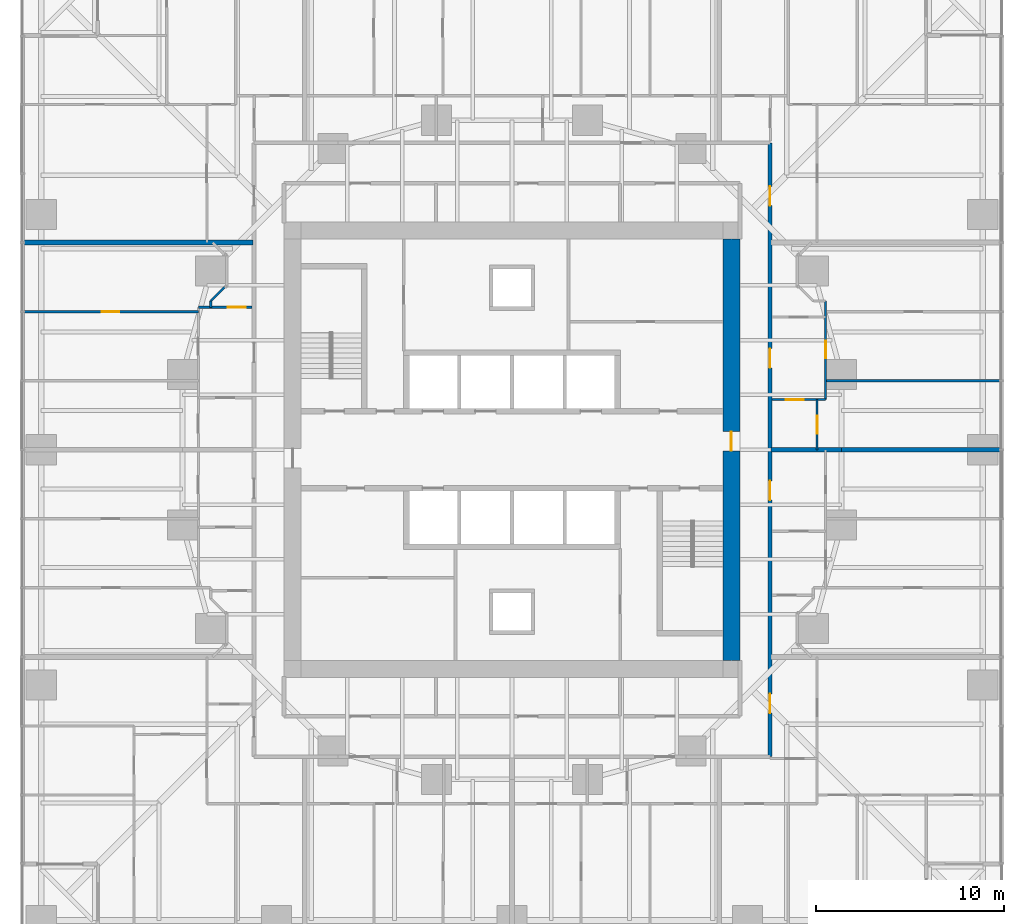
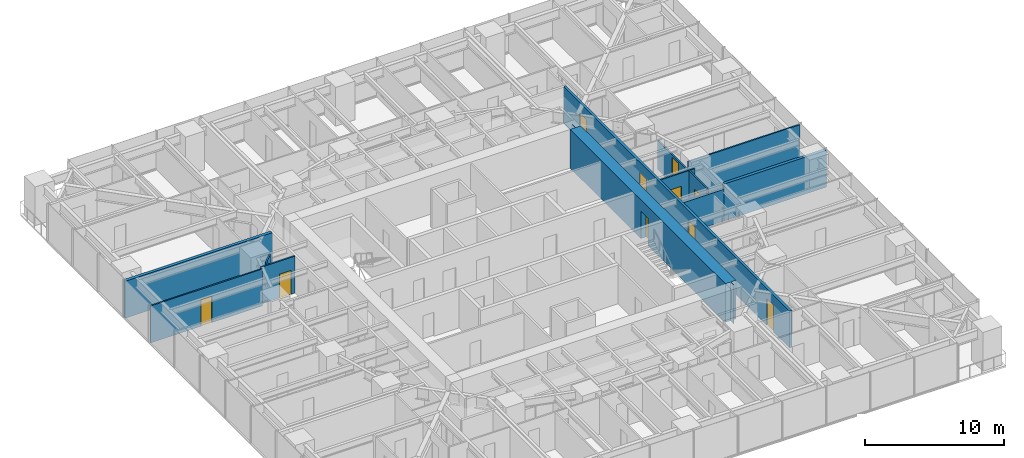
# One storey, part 13 of 18: 13 walls, 10 doors, 10 openings.
"""IFC4 building model written with IfcOpenShell, lengths in metres."""

from ifc_helpers import new_model, si_unit, direction, frame, frame_2d, origin, place, context, subcontext, project, spatial, polyline, rectangle, outline, extrude, material, layer, layer_set, type_object, element, fill, save


model = new_model("IFC4")

# Units and contexts
model_context = context("Model", 3, precision=1e-05, world=origin(), true_north=direction((0.0, 1.0)))
body_context = subcontext(model_context, "Body", "Model", "MODEL_VIEW")
ifc_project = project(units=[si_unit("LENGTHUNIT", "METRE"), si_unit("AREAUNIT", "SQUARE_METRE"), si_unit("VOLUMEUNIT", "CUBIC_METRE"), si_unit("PLANEANGLEUNIT", "RADIAN"), si_unit("MASSUNIT", "GRAM", prefix="KILO")], contexts=[model_context])

# Site, building, storey
site_placement = place(None, origin())
site = spatial("IfcSite", under=ifc_project, at=site_placement, CompositionType="ELEMENT")
building_placement = place(site_placement, origin())
building = spatial("IfcBuilding", under=site, at=building_placement, Name="Torsade Residences", CompositionType="ELEMENT")
storey_placement = place(building_placement, frame((0.0, 0.0, 25.199951171875)))
storey = spatial("IfcBuildingStorey", under=building, at=storey_placement, Name="L06", CompositionType="ELEMENT", Elevation=25.199951171875)

# Wall, opening, door
ifc_material_1 = material(Name="Concrete 80 MPa", Category="concrete")
ifc_layer_1 = layer(ifc_material_1, 0.89990234375)
ifc_layer_set_1 = layer_set([ifc_layer_1], Name="Concrete 80 MPa")
wall_type_1 = type_object("IfcWallType", Name="CORE WALL 900", PredefinedType="SHEAR", material=ifc_layer_set_1)
wall_1_placement = place(storey_placement, frame((51.64990234375, 18.800048828125, 0.0), z_axis=(0.0, 0.0, 1.0), x_axis=(0.0, 1.0, 0.0)))
wall_1 = element("IfcWall", 1, at=wall_1_placement, inside=storey, type_object=wall_type_1, Name="Core wall E L06", PredefinedType="SHEAR", context=body_context, shape_type="SweptSolid", body=[
    extrude(outline(polyline([(0.0, -0.449951171875), (22.39990234375, -0.449951171875), (22.39990234375, -0.02490234375), (22.849853515625, -0.02490234375), (22.849853515625, 0.02490234375), (22.39990234375, 0.02490234375), (22.39990234375, 0.449951171875), (0.0, 0.449951171875), (0.0, 0.02490234375), (-0.449951171875, 0.02490234375), (-0.449951171875, -0.02490234375), (0.0, -0.02490234375), (0.0, -0.449951171875)])), origin(), (0.0, 0.0, 1.0), 3.400146484375),
])
opening_1_placement = place(wall_1_placement, frame((11.139892578125, 0.0, 0.0)))
opening_1 = element("IfcOpeningElement", 2, at=opening_1_placement, cuts=wall_1, Name="Opening D04", PredefinedType="OPENING", context=body_context, shape_type="SweptSolid", body=[
    extrude(rectangle(XDim=1.02001953125, YDim=2.39990234375, at=frame_2d((0.510009765625, 1.199951171875))), frame((0.0, 0.4599609375, 0.0), z_axis=(0.0, -1.0, 0.0), x_axis=(1.0, 0.0, 0.0)), (0.0, 0.0, 1.0), 0.919921875),
])
ifc_material_2 = material(Name="Steel-framed fire door", Category="steel")
door_type_1 = type_object("IfcDoorType", Name="LOBBY SMOKE DOOR 1020x2400", OperationType="NOTDEFINED", PredefinedType="DOOR", material=ifc_material_2)
door_1_placement = place(opening_1_placement, origin())
door_1 = element("IfcDoor", 3, at=door_1_placement, inside=storey, type_object=door_type_1, Name="Lift lobby door E L06", OperationType="SINGLE_SWING_LEFT", OverallHeight=2.39990234375, OverallWidth=1.02001953125, PredefinedType="DOOR", context=body_context, shape_type="SweptSolid", body=[
    extrude(rectangle(XDim=1.02001953125, YDim=2.39990234375, at=frame_2d((0.510009765625, 1.199951171875))), frame((0.0, 0.02490234375, 0.0), z_axis=(0.0, -1.0, 0.0), x_axis=(1.0, 0.0, 0.0)), (0.0, 0.0, 1.0), 0.050048828125),
])
fill(opening_1, door_1)

# Wall, openings, doors
ifc_material_3 = material(Name="Plasterboard on steel stud", Category="steel")
ifc_layer_2 = layer(ifc_material_3, 0.199951171875)
ifc_layer_set_2 = layer_set([ifc_layer_2], Name="Plasterboard on steel stud")
wall_type_2 = type_object("IfcWallType", Name="CORRIDOR WALL 200", PredefinedType="PARTITIONING", material=ifc_layer_set_2)
wall_2_placement = place(storey_placement, frame((53.699951171875, 13.699951171875, 0.0), z_axis=(0.0, 0.0, 1.0), x_axis=(0.0, 1.0, 0.0)))
wall_2 = element("IfcWall", 4, at=wall_2_placement, inside=storey, type_object=wall_type_2, Name="Corridor wall L06", PredefinedType="PARTITIONING", context=body_context, shape_type="SweptSolid", body=[
    extrude(rectangle(XDim=32.60009765625, YDim=0.199951171875, at=frame_2d((16.300048828125, 0.0))), origin(), (0.0, 0.0, 1.0), 3.25),
])
opening_2_placement = place(wall_2_placement, frame((2.31494140625, 0.0, 0.0)))
opening_2 = element("IfcOpeningElement", 5, at=opening_2_placement, cuts=wall_2, Name="Opening D01", PredefinedType="OPENING", context=body_context, shape_type="SweptSolid", body=[
    extrude(rectangle(XDim=1.02001953125, YDim=2.340087890625, at=frame_2d((0.510009765625, 1.169921875))), frame((0.0, 0.10986328125, 0.0), z_axis=(0.0, -1.0, 0.0), x_axis=(1.0, 0.0, 0.0)), (0.0, 0.0, 1.0), 0.219970703125),
])
opening_3_placement = place(wall_2_placement, frame((29.264892578125, 0.0, 0.0)))
opening_3 = element("IfcOpeningElement", 6, at=opening_3_placement, cuts=wall_2, Name="Opening D01", PredefinedType="OPENING", context=body_context, shape_type="SweptSolid", body=[
    extrude(rectangle(XDim=1.02001953125, YDim=2.340087890625, at=frame_2d((0.510009765625, 1.169921875))), frame((0.0, 0.10986328125, 0.0), z_axis=(0.0, -1.0, 0.0), x_axis=(1.0, 0.0, 0.0)), (0.0, 0.0, 1.0), 0.219970703125),
])
opening_4_placement = place(wall_2_placement, frame((20.646240234375, 0.0, 0.0)))
opening_4 = element("IfcOpeningElement", 7, at=opening_4_placement, cuts=wall_2, Name="Opening D01", PredefinedType="OPENING", context=body_context, shape_type="SweptSolid", body=[
    extrude(rectangle(XDim=1.02001953125, YDim=2.340087890625, at=frame_2d((0.510009765625, 1.169921875))), frame((0.0, 0.10986328125, 0.0), z_axis=(0.0, -1.0, 0.0), x_axis=(1.0, 0.0, 0.0)), (0.0, 0.0, 1.0), 0.219970703125),
])
opening_5_placement = place(wall_2_placement, frame((13.6259765625, 0.0, 0.0)))
opening_5 = element("IfcOpeningElement", 8, at=opening_5_placement, cuts=wall_2, Name="Opening D01", PredefinedType="OPENING", context=body_context, shape_type="SweptSolid", body=[
    extrude(rectangle(XDim=1.02001953125, YDim=2.340087890625, at=frame_2d((0.510009765625, 1.169921875))), frame((0.0, 0.10986328125, 0.0), z_axis=(0.0, -1.0, 0.0), x_axis=(1.0, 0.0, 0.0)), (0.0, 0.0, 1.0), 0.219970703125),
])
ifc_material_4 = material(Name="Solid-core timber fire door", Category="wood")
door_type_2 = type_object("IfcDoorType", Name="APARTMENT ENTRY DOOR 1020x2340", OperationType="NOTDEFINED", PredefinedType="DOOR", material=ifc_material_4)
door_2_placement = place(opening_2_placement, origin())
door_2 = element("IfcDoor", 9, at=door_2_placement, inside=storey, type_object=door_type_2, Name="Door Residential corridor to Kitchen and dining", OperationType="SINGLE_SWING_LEFT", OverallHeight=2.340087890625, OverallWidth=1.02001953125, PredefinedType="DOOR", context=body_context, shape_type="SweptSolid", body=[
    extrude(rectangle(XDim=1.02001953125, YDim=2.340087890625, at=frame_2d((0.510009765625, 1.169921875))), frame((0.0, 0.02490234375, 0.0), z_axis=(0.0, -1.0, 0.0), x_axis=(1.0, 0.0, 0.0)), (0.0, 0.0, 1.0), 0.050048828125),
])
fill(opening_2, door_2)
door_3_placement = place(opening_3_placement, origin())
door_3 = element("IfcDoor", 10, at=door_3_placement, inside=storey, type_object=door_type_2, Name="Door Residential corridor to Kitchen and dining", OperationType="SINGLE_SWING_RIGHT", OverallHeight=2.340087890625, OverallWidth=1.02001953125, PredefinedType="DOOR", context=body_context, shape_type="SweptSolid", body=[
    extrude(rectangle(XDim=1.02001953125, YDim=2.340087890625, at=frame_2d((0.510009765625, 1.169921875))), frame((0.0, 0.02490234375, 0.0), z_axis=(0.0, -1.0, 0.0), x_axis=(1.0, 0.0, 0.0)), (0.0, 0.0, 1.0), 0.050048828125),
])
fill(opening_3, door_3)
door_4_placement = place(opening_4_placement, origin())
door_4 = element("IfcDoor", 11, at=door_4_placement, inside=storey, type_object=door_type_2, Name="Door Residential corridor to Kitchen and dining", OperationType="SINGLE_SWING_RIGHT", OverallHeight=2.340087890625, OverallWidth=1.02001953125, PredefinedType="DOOR", context=body_context, shape_type="SweptSolid", body=[
    extrude(rectangle(XDim=1.02001953125, YDim=2.340087890625, at=frame_2d((0.510009765625, 1.169921875))), frame((0.0, 0.02490234375, 0.0), z_axis=(0.0, -1.0, 0.0), x_axis=(1.0, 0.0, 0.0)), (0.0, 0.0, 1.0), 0.050048828125),
])
fill(opening_4, door_4)
door_5_placement = place(opening_5_placement, origin())
door_5 = element("IfcDoor", 12, at=door_5_placement, inside=storey, type_object=door_type_2, Name="Door Residential corridor to Kitchen and dining", OperationType="SINGLE_SWING_LEFT", OverallHeight=2.340087890625, OverallWidth=1.02001953125, PredefinedType="DOOR", context=body_context, shape_type="SweptSolid", body=[
    extrude(rectangle(XDim=1.02001953125, YDim=2.340087890625, at=frame_2d((0.510009765625, 1.169921875))), frame((0.0, 0.02490234375, 0.0), z_axis=(0.0, -1.0, 0.0), x_axis=(1.0, 0.0, 0.0)), (0.0, 0.0, 1.0), 0.050048828125),
])
fill(opening_5, door_5)

# Wall, opening, door
ifc_material_5 = material(Name="Plasterboard on steel stud", Category="steel")
ifc_layer_3 = layer(ifc_material_5, 0.1201171875)
ifc_layer_set_3 = layer_set([ifc_layer_3], Name="Plasterboard on steel stud")
wall_type_3 = type_object("IfcWallType", Name="PARTITION 120", PredefinedType="PARTITIONING", material=ifc_layer_set_3)
wall_3_placement = place(storey_placement, frame((56.64990234375, 32.666015625, 0.0), z_axis=(0.0, 0.0, 1.0), x_axis=(-1.0, 0.0, 0.0)))
wall_3 = element("IfcWall", 13, at=wall_3_placement, inside=storey, type_object=wall_type_3, Name="Partition L06", PredefinedType="PARTITIONING", context=body_context, shape_type="SweptSolid", body=[
    extrude(rectangle(XDim=2.849853515625, YDim=0.1201171875, at=frame_2d((1.4248046875, 0.0))), origin(), (0.0, 0.0, 1.0), 3.25),
])
opening_6_placement = place(wall_3_placement, frame((1.14501953125, 0.0, 0.0)))
opening_6 = element("IfcOpeningElement", 14, at=opening_6_placement, cuts=wall_3, Name="Opening D05", PredefinedType="OPENING", context=body_context, shape_type="SweptSolid", body=[
    extrude(rectangle(XDim=0.9599609375, YDim=2.10009765625, at=frame_2d((0.47998046875, 1.050048828125))), frame((0.0, 0.070068359375, 0.0), z_axis=(0.0, -1.0, 0.0), x_axis=(1.0, 0.0, 0.0)), (0.0, 0.0, 1.0), 0.14013671875),
])
ifc_material_6 = material(Name="Hollow-core timber door in a steel cavity frame", Category="steel")
door_type_3 = type_object("IfcDoorType", Name="BATHROOM CAVITY SLIDING DOOR 960", OperationType="SLIDING_TO_LEFT", PredefinedType="DOOR", material=ifc_material_6)
door_6_placement = place(opening_6_placement, origin())
door_6 = element("IfcDoor", 15, at=door_6_placement, inside=storey, type_object=door_type_3, Name="Door Kitchen and dining to Ensuite", OperationType="SLIDING_TO_LEFT", OverallHeight=2.10009765625, OverallWidth=0.9599609375, PredefinedType="DOOR", context=body_context, shape_type="SweptSolid", body=[
    extrude(rectangle(XDim=0.9599609375, YDim=2.10009765625, at=frame_2d((0.47998046875, 1.050048828125))), frame((0.0, 0.02490234375, 0.0), z_axis=(0.0, -1.0, 0.0), x_axis=(1.0, 0.0, 0.0)), (0.0, 0.0, 1.0), 0.050048828125),
])
fill(opening_6, door_6)

wall_4_placement = place(storey_placement, frame((56.64990234375, 37.89990234375, 0.0), z_axis=(0.0, 0.0, 1.0), x_axis=(0.0, -1.0, 0.0)))
wall_4 = element("IfcWall", 16, at=wall_4_placement, inside=storey, type_object=wall_type_3, Name="Partition L06", PredefinedType="PARTITIONING", context=body_context, shape_type="SweptSolid", body=[
    extrude(rectangle(XDim=5.23388671875, YDim=0.1201171875, at=frame_2d((2.616943359375, 0.0))), origin(), (0.0, 0.0, 1.0), 2.550048828125),
])
opening_7_placement = place(wall_4_placement, frame((2.108642578125, 0.0, 0.0)))
opening_7 = element("IfcOpeningElement", 17, at=opening_7_placement, cuts=wall_4, Name="Opening D02", PredefinedType="OPENING", context=body_context, shape_type="SweptSolid", body=[
    extrude(rectangle(XDim=0.919921875, YDim=2.340087890625, at=frame_2d((0.4599609375, 1.169921875))), frame((0.0, 0.070068359375, 0.0), z_axis=(0.0, -1.0, 0.0), x_axis=(1.0, 0.0, 0.0)), (0.0, 0.0, 1.0), 0.14013671875),
])
ifc_material_7 = material(Name="Hollow-core timber door", Category="wood")
door_type_4 = type_object("IfcDoorType", Name="INTERNAL DOOR 920x2340", OperationType="NOTDEFINED", PredefinedType="DOOR", material=ifc_material_7)
door_7_placement = place(opening_7_placement, origin())
door_7 = element("IfcDoor", 18, at=door_7_placement, inside=storey, type_object=door_type_4, Name="Door Kitchen and dining to Bedroom 2", OperationType="SINGLE_SWING_RIGHT", OverallHeight=2.340087890625, OverallWidth=0.919921875, PredefinedType="DOOR", context=body_context, shape_type="SweptSolid", body=[
    extrude(rectangle(XDim=0.919921875, YDim=2.340087890625, at=frame_2d((0.4599609375, 1.169921875))), frame((0.0, 0.02490234375, 0.0), z_axis=(0.0, -1.0, 0.0), x_axis=(1.0, 0.0, 0.0)), (0.0, 0.0, 1.0), 0.050048828125),
])
fill(opening_7, door_7)

wall_5_placement = place(storey_placement, frame((56.199951171875, 32.666015625, 0.0), z_axis=(0.0, 0.0, 1.0), x_axis=(0.0, -1.0, 0.0)))
wall_5 = element("IfcWall", 19, at=wall_5_placement, inside=storey, type_object=wall_type_3, Name="Partition L06", PredefinedType="PARTITIONING", context=body_context, shape_type="SweptSolid", body=[
    extrude(rectangle(XDim=2.666015625, YDim=0.1201171875, at=frame_2d((1.3330078125, 0.0))), origin(), (0.0, 0.0, 1.0), 3.25),
])
opening_8_placement = place(wall_5_placement, frame((0.85302734375, 0.0, 0.0)))
opening_8 = element("IfcOpeningElement", 20, at=opening_8_placement, cuts=wall_5, Name="Opening D05", PredefinedType="OPENING", context=body_context, shape_type="SweptSolid", body=[
    extrude(rectangle(XDim=0.9599609375, YDim=2.10009765625, at=frame_2d((0.47998046875, 1.050048828125))), frame((0.0, 0.070068359375, 0.0), z_axis=(0.0, -1.0, 0.0), x_axis=(1.0, 0.0, 0.0)), (0.0, 0.0, 1.0), 0.14013671875),
])
door_8_placement = place(opening_8_placement, origin())
door_8 = element("IfcDoor", 21, at=door_8_placement, inside=storey, type_object=door_type_3, Name="Door Ensuite to Living room", OperationType="SLIDING_TO_LEFT", OverallHeight=2.10009765625, OverallWidth=0.9599609375, PredefinedType="DOOR", context=body_context, shape_type="SweptSolid", body=[
    extrude(rectangle(XDim=0.9599609375, YDim=2.10009765625, at=frame_2d((0.47998046875, 1.050048828125))), frame((0.0, 0.02490234375, 0.0), z_axis=(0.0, -1.0, 0.0), x_axis=(1.0, 0.0, 0.0)), (0.0, 0.0, 1.0), 0.050048828125),
])
fill(opening_8, door_8)

# Wall
wall_6_placement = place(storey_placement, frame((56.64990234375, 33.666748046875, 0.0), z_axis=(0.0, 0.0, 1.0), x_axis=(1.0, 0.0, 0.0)))
element("IfcWall", 22, at=wall_6_placement, inside=storey, type_object=wall_type_3, Name="Partition L06", PredefinedType="PARTITIONING", context=body_context, shape_type="SweptSolid", body=[
    extrude(rectangle(XDim=9.31005859375, YDim=0.1201171875, at=frame_2d((4.655029296875, 0.0))), origin(), (0.0, 0.0, 1.0), 3.25),
])

# Wall, opening, door
wall_7_placement = place(storey_placement, frame((23.35009765625, 37.564697265625, 0.0), z_axis=(0.0, 0.0, 1.0), x_axis=(1.0, 0.0, 0.0)))
wall_7 = element("IfcWall", 23, at=wall_7_placement, inside=storey, type_object=wall_type_3, Name="Partition L06", PredefinedType="PARTITIONING", context=body_context, shape_type="SweptSolid", body=[
    extrude(rectangle(XDim=2.849853515625, YDim=0.1201171875, at=frame_2d((1.4248046875, 0.0))), origin(), (0.0, 0.0, 1.0), 3.25),
])
opening_9_placement = place(wall_7_placement, frame((1.544921875, 0.0, 0.0)))
opening_9 = element("IfcOpeningElement", 24, at=opening_9_placement, cuts=wall_7, Name="Opening D05", PredefinedType="OPENING", context=body_context, shape_type="SweptSolid", body=[
    extrude(rectangle(XDim=0.9599609375, YDim=2.10009765625, at=frame_2d((0.47998046875, 1.050048828125))), frame((0.0, 0.070068359375, 0.0), z_axis=(0.0, -1.0, 0.0), x_axis=(1.0, 0.0, 0.0)), (0.0, 0.0, 1.0), 0.14013671875),
])
door_9_placement = place(opening_9_placement, origin())
door_9 = element("IfcDoor", 25, at=door_9_placement, inside=storey, type_object=door_type_3, Name="Door Kitchen and dining to Bathroom", OperationType="SLIDING_TO_LEFT", OverallHeight=2.10009765625, OverallWidth=0.9599609375, PredefinedType="DOOR", context=body_context, shape_type="SweptSolid", body=[
    extrude(rectangle(XDim=0.9599609375, YDim=2.10009765625, at=frame_2d((0.47998046875, 1.050048828125))), frame((0.0, 0.02490234375, 0.0), z_axis=(0.0, -1.0, 0.0), x_axis=(1.0, 0.0, 0.0)), (0.0, 0.0, 1.0), 0.050048828125),
])
fill(opening_9, door_9)

# Walls
wall_8_placement = place(storey_placement, frame((24.0, 37.564697265625, 0.0), z_axis=(0.0, 0.0, 1.0), x_axis=(0.0, 1.0, 0.0)))
element("IfcWall", 26, at=wall_8_placement, inside=storey, type_object=wall_type_3, Name="Partition L06", PredefinedType="PARTITIONING", context=body_context, shape_type="SweptSolid", body=[
    extrude(rectangle(XDim=0.335205078125, YDim=0.1201171875, at=frame_2d((0.16748046875, 0.0))), origin(), (0.0, 0.0, 1.0), 3.25),
])
wall_9_placement = place(storey_placement, frame((24.0, 37.89990234375, 0.0), z_axis=(0.0, 0.0, 1.0), x_axis=(0.707106781187, 0.707106781187, 0.0)))
element("IfcWall", 27, at=wall_9_placement, inside=storey, type_object=wall_type_3, Name="Partition L06", PredefinedType="PARTITIONING", context=body_context, shape_type="SweptSolid", body=[
    extrude(rectangle(XDim=1.060546875, YDim=0.1201171875, at=frame_2d((0.5302734375, 0.0))), origin(), (0.0, 0.0, 1.0), 3.25),
])

# Wall, opening, door
wall_10_placement = place(storey_placement, frame((23.35009765625, 37.333251953125, 0.0), z_axis=(0.0, 0.0, 1.0), x_axis=(-1.0, 0.0, 0.0)))
wall_10 = element("IfcWall", 28, at=wall_10_placement, inside=storey, type_object=wall_type_3, Name="Partition L06", PredefinedType="PARTITIONING", context=body_context, shape_type="SweptSolid", body=[
    extrude(rectangle(XDim=9.31005859375, YDim=0.1201171875, at=frame_2d((4.655029296875, 0.0))), origin(), (0.0, 0.0, 1.0), 3.25),
])
opening_10_placement = place(wall_10_placement, frame((4.215087890625, 0.0, 0.0)))
opening_10 = element("IfcOpeningElement", 29, at=opening_10_placement, cuts=wall_10, Name="Opening D02", PredefinedType="OPENING", context=body_context, shape_type="SweptSolid", body=[
    extrude(rectangle(XDim=0.919921875, YDim=2.340087890625, at=frame_2d((0.4599609375, 1.169921875))), frame((0.0, 0.070068359375, 0.0), z_axis=(0.0, -1.0, 0.0), x_axis=(1.0, 0.0, 0.0)), (0.0, 0.0, 1.0), 0.14013671875),
])
door_10_placement = place(opening_10_placement, origin())
door_10 = element("IfcDoor", 30, at=door_10_placement, inside=storey, type_object=door_type_4, Name="Door Bedroom 2 to Living room", OperationType="SINGLE_SWING_RIGHT", OverallHeight=2.340087890625, OverallWidth=0.919921875, PredefinedType="DOOR", context=body_context, shape_type="SweptSolid", body=[
    extrude(rectangle(XDim=0.919921875, YDim=2.340087890625, at=frame_2d((0.4599609375, 1.169921875))), frame((0.0, 0.02490234375, 0.0), z_axis=(0.0, -1.0, 0.0), x_axis=(1.0, 0.0, 0.0)), (0.0, 0.0, 1.0), 0.050048828125),
])
fill(opening_10, door_10)

# Walls
ifc_material_8 = material(Name="Masonry-lined stud party wall", Category="masonry")
ifc_layer_4 = layer(ifc_material_8, 0.25)
ifc_layer_set_4 = layer_set([ifc_layer_4], Name="Masonry-lined stud party wall")
wall_type_4 = type_object("IfcWallType", Name="PARTY WALL 250", PredefinedType="PARTITIONING", material=ifc_layer_set_4)
wall_11_placement = place(storey_placement, frame((14.0, 41.0, 0.0), z_axis=(0.0, 0.0, 1.0), x_axis=(1.0, 0.0, 0.0)))
element("IfcWall", 31, at=wall_11_placement, inside=storey, type_object=wall_type_4, Name="Party wall L06", PredefinedType="PARTITIONING", context=body_context, shape_type="SweptSolid", body=[
    extrude(rectangle(XDim=12.239990234375, YDim=0.25, at=frame_2d((6.1201171875, 0.0))), origin(), (0.0, 0.0, 1.0), 3.25),
])
wall_12_placement = place(storey_placement, frame((66.0, 30.0, 0.0), z_axis=(0.0, 0.0, 1.0), x_axis=(-1.0, 0.0, 0.0)))
element("IfcWall", 32, at=wall_12_placement, inside=storey, type_object=wall_type_4, Name="Party wall L06", PredefinedType="PARTITIONING", context=body_context, shape_type="SweptSolid", body=[
    extrude(rectangle(XDim=8.5, YDim=0.25, at=frame_2d((4.25, 0.0))), origin(), (0.0, 0.0, 1.0), 3.25),
])
wall_13_placement = place(storey_placement, frame((57.5, 30.0, 0.0), z_axis=(0.0, 0.0, 1.0), x_axis=(-1.0, 0.0, 0.0)))
element("IfcWall", 33, at=wall_13_placement, inside=storey, type_object=wall_type_4, Name="Party wall L06", PredefinedType="PARTITIONING", context=body_context, shape_type="SweptSolid", body=[
    extrude(rectangle(XDim=3.739990234375, YDim=0.25, at=frame_2d((1.8701171875, 0.0))), origin(), (0.0, 0.0, 1.0), 2.796142578125),
])

save(model, "model.ifc")
